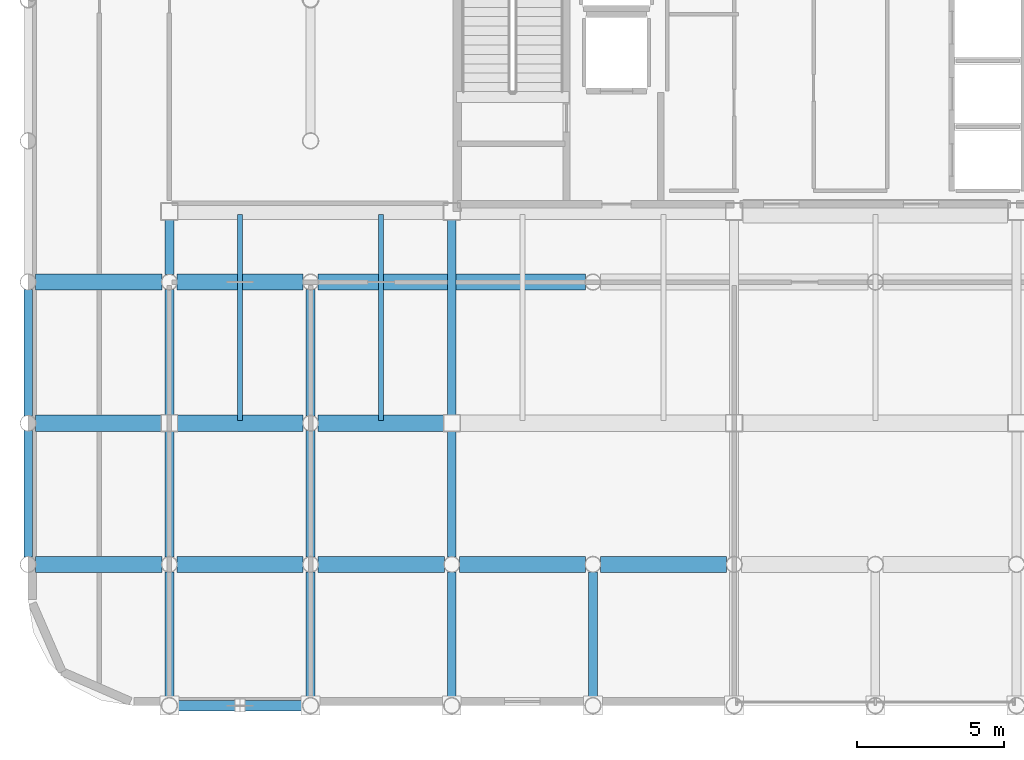
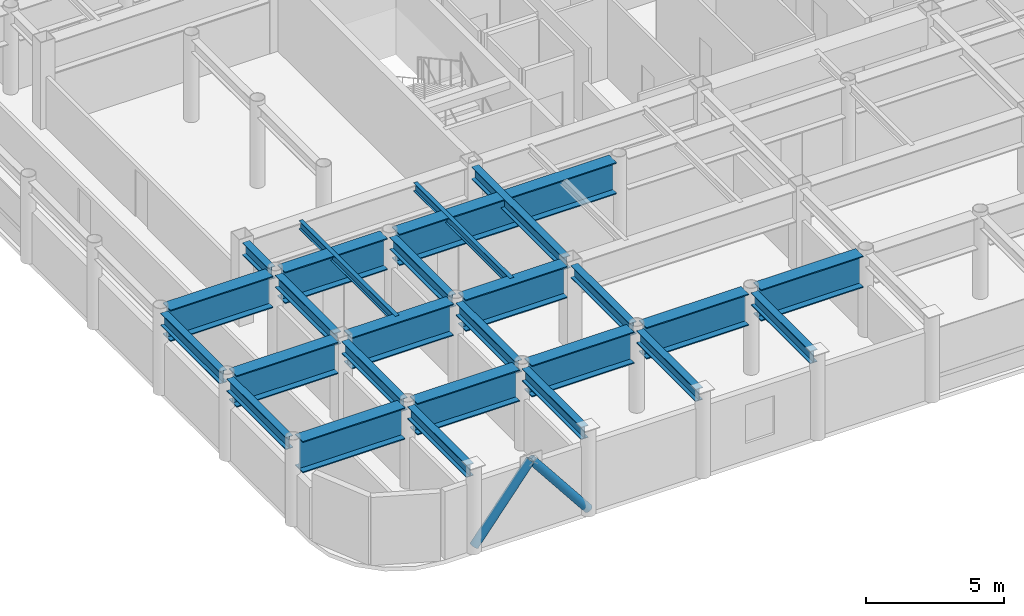
# One storey, part 4 of 24: 26 beams, 2 members.
"""IFC4 building model written with IfcOpenShell, lengths in metres."""

from ifc_helpers import new_model, si_unit, direction, frame, origin, origin_2d, place, context, subcontext, project, spatial, hollow_circle, i_section, extrude, material, material_profile, profile_set, type_object, element, save


model = new_model("IFC4")

# Units and contexts
model_context = context("Model", 3, precision=1e-05, world=origin(), true_north=direction((0.0, 1.0)))
body_context = subcontext(model_context, "Body", "Model", "MODEL_VIEW")
ifc_project = project(units=[si_unit("LENGTHUNIT", "METRE"), si_unit("AREAUNIT", "SQUARE_METRE"), si_unit("VOLUMEUNIT", "CUBIC_METRE"), si_unit("PLANEANGLEUNIT", "RADIAN"), si_unit("MASSUNIT", "GRAM", prefix="KILO")], contexts=[model_context])

# Site, building, storey
site_placement = place(None, origin())
site = spatial("IfcSite", under=ifc_project, at=site_placement, CompositionType="ELEMENT")
building_placement = place(site_placement, origin())
building = spatial("IfcBuilding", under=site, at=building_placement, Name="Kallvorn Hotel Tower", CompositionType="ELEMENT")
storey_placement = place(building_placement, frame((0.0, 0.0, 218.449951171875)))
storey = spatial("IfcBuildingStorey", under=building, at=storey_placement, Name="L54", CompositionType="ELEMENT", Elevation=218.449951171875)

# Beams
ifc_material_1 = material(Name="Structural steel S355JR", Category="steel")
ifc_material_profile_1 = material_profile(ifc_material_1, i_section(OverallWidth=0.300048828125, OverallDepth=0.550048828125, WebThickness=0.014892578125, FlangeThickness=0.029052734375, at=origin_2d()), Name="HE 550 B")
ifc_profile_set_1 = profile_set([ifc_material_profile_1], Name="Structural steel S355JR")
beam_type_1 = type_object("IfcBeamType", Name="BM_HE550B", PredefinedType="SPANDREL", material=ifc_profile_set_1)
for number, where, z_axis, x_axis, name in (
    (1, (-28.800048828125, -18.945556640625, 3.39501953125), (0.0, 1.0, 0.0), (-1.0, 0.0, 0.0), "L55 Primary Y-Girder 86"),
    (2, (-28.800048828125, -14.1455078125, 3.39501953125), (0.0, 1.0, 0.0), (-1.0, 0.0, 0.0), "L55 Primary Y-Girder 87"),
    (3, (-24.0, -23.74560546875, 3.39501953125), (0.0, 1.0, 0.0), (-1.0, 0.0, 0.0), "L55 Primary Y-Girder 94"),
):
    element("IfcBeam", number, at=place(storey_placement, frame(where, z_axis=z_axis, x_axis=x_axis)), inside=storey, type_object=beam_type_1, Name=name, PredefinedType="SPANDREL", context=body_context, shape_type="SweptSolid", body=[
        extrude(i_section(OverallWidth=0.300048828125, OverallDepth=0.550048828125, WebThickness=0.014892578125, FlangeThickness=0.029052734375, at=origin_2d()), origin(), (0.0, 0.0, 1.0), 4.291015625),
    ])
for number, where, z_axis, x_axis, name in (
    (4, (-24.0, -18.945556640625, 3.39501953125), (0.0, 1.0, 0.0), (-1.0, 0.0, 0.0), "L55 Primary Y-Girder 95"),
    (5, (-24.0, -14.125, 3.39501953125), (0.0, 1.0, 0.0), (-1.0, 0.0, 0.0), "L55 Primary Y-Girder 96"),
):
    element("IfcBeam", number, at=place(storey_placement, frame(where, z_axis=z_axis, x_axis=x_axis)), inside=storey, type_object=beam_type_1, Name=name, PredefinedType="SPANDREL", context=body_context, shape_type="SweptSolid", body=[
        extrude(i_section(OverallWidth=0.300048828125, OverallDepth=0.550048828125, WebThickness=0.014892578125, FlangeThickness=0.029052734375, at=origin_2d()), origin(), (0.0, 0.0, 1.0), 4.2705078125),
    ])
beam_1_placement = place(storey_placement, frame((-24.0, -9.345458984375, 3.39501953125), z_axis=(0.0, 1.0, 0.0), x_axis=(-1.0, 0.0, 0.0)))
element("IfcBeam", 6, at=beam_1_placement, inside=storey, type_object=beam_type_1, Name="L55 Primary Y-Girder 97", PredefinedType="SPANDREL", context=body_context, shape_type="SweptSolid", body=[
    extrude(i_section(OverallWidth=0.300048828125, OverallDepth=0.550048828125, WebThickness=0.014892578125, FlangeThickness=0.029052734375, at=origin_2d()), origin(), (0.0, 0.0, 1.0), 1.870361328125),
])
for number, where, z_axis, x_axis, name in (
    (7, (-19.199951171875, -23.74560546875, 3.39501953125), (0.0, 1.0, 0.0), (-1.0, 0.0, 0.0), "L55 Primary Y-Girder 101"),
    (8, (-19.199951171875, -18.945556640625, 3.39501953125), (0.0, 1.0, 0.0), (-1.0, 0.0, 0.0), "L55 Primary Y-Girder 102"),
    (9, (-19.199951171875, -14.1455078125, 3.39501953125), (0.0, 1.0, 0.0), (-1.0, 0.0, 0.0), "L55 Primary Y-Girder 103"),
    (10, (-14.39990234375, -23.74560546875, 3.39501953125), (0.0, 1.0, 0.0), (-1.0, 0.0, 0.0), "L55 Primary Y-Girder 110"),
):
    element("IfcBeam", number, at=place(storey_placement, frame(where, z_axis=z_axis, x_axis=x_axis)), inside=storey, type_object=beam_type_1, Name=name, PredefinedType="SPANDREL", context=body_context, shape_type="SweptSolid", body=[
        extrude(i_section(OverallWidth=0.300048828125, OverallDepth=0.550048828125, WebThickness=0.014892578125, FlangeThickness=0.029052734375, at=origin_2d()), origin(), (0.0, 0.0, 1.0), 4.291015625),
    ])
beam_2_placement = place(storey_placement, frame((-14.39990234375, -18.945556640625, 3.39501953125), z_axis=(0.0, 1.0, 0.0), x_axis=(-1.0, 0.0, 0.0)))
element("IfcBeam", 11, at=beam_2_placement, inside=storey, type_object=beam_type_1, Name="L55 Primary Y-Girder 111", PredefinedType="SPANDREL", context=body_context, shape_type="SweptSolid", body=[
    extrude(i_section(OverallWidth=0.300048828125, OverallDepth=0.550048828125, WebThickness=0.014892578125, FlangeThickness=0.029052734375, at=origin_2d()), origin(), (0.0, 0.0, 1.0), 4.2705078125),
])
beam_3_placement = place(storey_placement, frame((-14.39990234375, -14.125, 3.39501953125), z_axis=(0.0, 1.0, 0.0), x_axis=(-1.0, 0.0, 0.0)))
element("IfcBeam", 12, at=beam_3_placement, inside=storey, type_object=beam_type_1, Name="L55 Primary Y-Girder 112", PredefinedType="SPANDREL", context=body_context, shape_type="SweptSolid", body=[
    extrude(i_section(OverallWidth=0.300048828125, OverallDepth=0.550048828125, WebThickness=0.014892578125, FlangeThickness=0.029052734375, at=origin_2d()), origin(), (0.0, 0.0, 1.0), 6.64990234375),
])
beam_4_placement = place(storey_placement, frame((-9.60009765625, -23.74560546875, 3.39501953125), z_axis=(0.0, 1.0, 0.0), x_axis=(-1.0, 0.0, 0.0)))
element("IfcBeam", 13, at=beam_4_placement, inside=storey, type_object=beam_type_1, Name="L55 Primary Y-Girder 115", PredefinedType="SPANDREL", context=body_context, shape_type="SweptSolid", body=[
    extrude(i_section(OverallWidth=0.300048828125, OverallDepth=0.550048828125, WebThickness=0.014892578125, FlangeThickness=0.029052734375, at=origin_2d()), origin(), (0.0, 0.0, 1.0), 4.291015625),
])
ifc_material_2 = material(Name="Structural steel S355JR", Category="steel")
ifc_material_profile_2 = material_profile(ifc_material_2, i_section(OverallWidth=0.169921875, OverallDepth=0.360107421875, WebThickness=0.008056640625, FlangeThickness=0.0126953125, at=origin_2d()), Name="IPE 360")
ifc_profile_set_2 = profile_set([ifc_material_profile_2], Name="Structural steel S355JR")
beam_type_2 = type_object("IfcBeamType", Name="BM_IPE360", PredefinedType="JOIST", material=ifc_profile_set_2)
for number, where, z_axis, x_axis, name in (
    (14, (-21.60009765625, -14.300048828125, 3.489990234375), (0.0, 1.0, 0.0), (-1.0, 0.0, 0.0), "L55 Secondary Composite Joist 205"),
    (15, (-16.800048828125, -14.300048828125, 3.489990234375), (0.0, 1.0, 0.0), (-1.0, 0.0, 0.0), "L55 Secondary Composite Joist 207"),
):
    element("IfcBeam", number, at=place(storey_placement, frame(where, z_axis=z_axis, x_axis=x_axis)), inside=storey, type_object=beam_type_2, Name=name, PredefinedType="JOIST", context=body_context, shape_type="SweptSolid", body=[
        extrude(i_section(OverallWidth=0.169921875, OverallDepth=0.360107421875, WebThickness=0.008056640625, FlangeThickness=0.0126953125, at=origin_2d()), origin(), (0.0, 0.0, 1.0), 7.0),
    ])
ifc_material_3 = material(Name="Structural steel S355JR", Category="steel")
ifc_material_profile_3 = material_profile(ifc_material_3, i_section(OverallWidth=0.550048828125, OverallDepth=1.39990234375, WebThickness=0.02490234375, FlangeThickness=0.044921875, at=origin_2d()), Name="PG 1400x550x25x45")
ifc_profile_set_3 = profile_set([ifc_material_profile_3], Name="Structural steel S355JR")
beam_type_3 = type_object("IfcBeamType", Name="BM_PG_1400", PredefinedType="BEAM", material=ifc_profile_set_3)
for number, where, z_axis, x_axis, name in (
    (16, (-28.54541015625, -19.199951171875, 2.969970703125), (1.0, 0.0, 0.0), (0.0, 1.0, 0.0), "L55 Primary X-Girder 14"),
    (17, (-23.74560546875, -19.199951171875, 2.969970703125), (1.0, 0.0, 0.0), (0.0, 1.0, 0.0), "L55 Primary X-Girder 15"),
    (18, (-18.945556640625, -19.199951171875, 2.969970703125), (1.0, 0.0, 0.0), (0.0, 1.0, 0.0), "L55 Primary X-Girder 16"),
    (19, (-14.1455078125, -19.199951171875, 2.969970703125), (1.0, 0.0, 0.0), (0.0, 1.0, 0.0), "L55 Primary X-Girder 17"),
    (20, (-9.345458984375, -19.199951171875, 2.969970703125), (1.0, 0.0, 0.0), (0.0, 1.0, 0.0), "L55 Primary X-Girder 18"),
):
    element("IfcBeam", number, at=place(storey_placement, frame(where, z_axis=z_axis, x_axis=x_axis)), inside=storey, type_object=beam_type_3, Name=name, PredefinedType="BEAM", context=body_context, shape_type="SweptSolid", body=[
        extrude(i_section(OverallWidth=0.550048828125, OverallDepth=1.39990234375, WebThickness=0.02490234375, FlangeThickness=0.044921875, at=origin_2d()), origin(), (0.0, 0.0, 1.0), 4.291015625),
    ])
for number, where, z_axis, x_axis, name in (
    (21, (-28.54541015625, -14.39990234375, 2.969970703125), (1.0, 0.0, 0.0), (0.0, 1.0, 0.0), "L55 Primary X-Girder 27"),
    (22, (-23.72509765625, -14.39990234375, 2.969970703125), (1.0, 0.0, 0.0), (0.0, 1.0, 0.0), "L55 Primary X-Girder 28"),
    (23, (-18.945556640625, -14.39990234375, 2.969970703125), (1.0, 0.0, 0.0), (0.0, 1.0, 0.0), "L55 Primary X-Girder 29"),
):
    element("IfcBeam", number, at=place(storey_placement, frame(where, z_axis=z_axis, x_axis=x_axis)), inside=storey, type_object=beam_type_3, Name=name, PredefinedType="BEAM", context=body_context, shape_type="SweptSolid", body=[
        extrude(i_section(OverallWidth=0.550048828125, OverallDepth=1.39990234375, WebThickness=0.02490234375, FlangeThickness=0.044921875, at=origin_2d()), origin(), (0.0, 0.0, 1.0), 4.2705078125),
    ])
for number, where, z_axis, x_axis, name in (
    (24, (-28.54541015625, -9.60009765625, 2.969970703125), (1.0, 0.0, 0.0), (0.0, 1.0, 0.0), "L55 Primary X-Girder 37"),
    (25, (-23.74560546875, -9.60009765625, 2.969970703125), (1.0, 0.0, 0.0), (0.0, 1.0, 0.0), "L55 Primary X-Girder 38"),
):
    element("IfcBeam", number, at=place(storey_placement, frame(where, z_axis=z_axis, x_axis=x_axis)), inside=storey, type_object=beam_type_3, Name=name, PredefinedType="BEAM", context=body_context, shape_type="SweptSolid", body=[
        extrude(i_section(OverallWidth=0.550048828125, OverallDepth=1.39990234375, WebThickness=0.02490234375, FlangeThickness=0.044921875, at=origin_2d()), origin(), (0.0, 0.0, 1.0), 4.291015625),
    ])
beam_5_placement = place(storey_placement, frame((-18.945556640625, -9.60009765625, 2.969970703125), z_axis=(1.0, 0.0, 0.0), x_axis=(0.0, 1.0, 0.0)))
element("IfcBeam", 26, at=beam_5_placement, inside=storey, type_object=beam_type_3, Name="L55 Primary X-Girder 39", PredefinedType="BEAM", context=body_context, shape_type="SweptSolid", body=[
    extrude(i_section(OverallWidth=0.550048828125, OverallDepth=1.39990234375, WebThickness=0.02490234375, FlangeThickness=0.044921875, at=origin_2d()), origin(), (0.0, 0.0, 1.0), 9.091064453125),
])

# Members
ifc_material_4 = material(Name="Structural steel S355J2H", Category="steel")
ifc_material_profile_4 = material_profile(ifc_material_4, hollow_circle(Radius=0.177734375, WallThickness=0.01416015625, at=origin_2d()), Name="CHS 355.6x14.2")
ifc_profile_set_4 = profile_set([ifc_material_profile_4], Name="Structural steel S355J2H")
member_type = type_object("IfcMemberType", Name="MBR_EXO_CHS355", PredefinedType="BRACE", material=ifc_profile_set_4)
for number, where, z_axis, x_axis, name in (
    (27, (-23.987548828125, -24.0, 0.19580078125), (0.620928510901, 0.0, 0.783867198159), (0.0, 1.0, 0.0), "L54 Exoskeleton K-Brace S1A"),
    (28, (-19.21240234375, -24.0, 0.19580078125), (-0.620928510901, 0.0, 0.783867198159), (0.0, -1.0, 0.0), "L54 Exoskeleton K-Brace S1B"),
):
    element("IfcMember", number, at=place(storey_placement, frame(where, z_axis=z_axis, x_axis=x_axis)), inside=storey, type_object=member_type, Name=name, PredefinedType="BRACE", context=body_context, shape_type="SweptSolid", body=[
        extrude(hollow_circle(Radius=0.177734375, WallThickness=0.01416015625, at=origin_2d()), origin(), (0.0, 0.0, 1.0), 3.8251953125),
    ])

save(model, "model.ifc")
